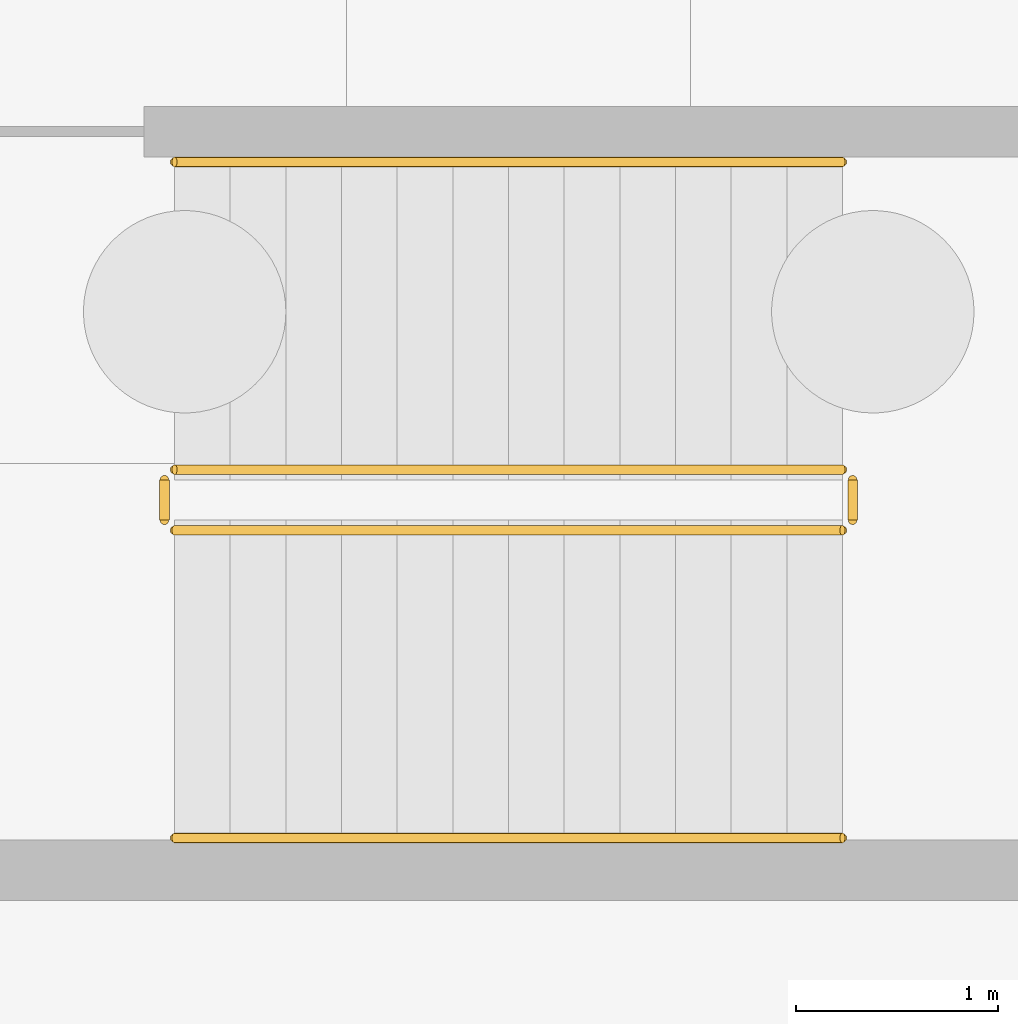
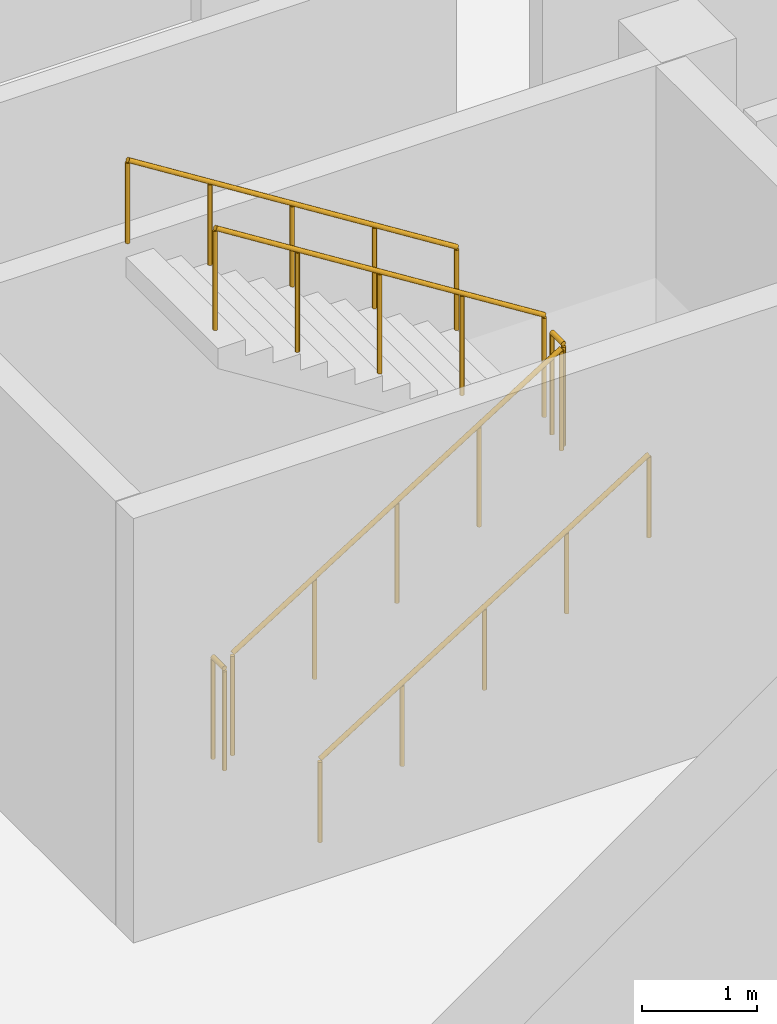
# One storey, part 48 of 51: 6 railings.
"""IFC4 building model written with IfcOpenShell, lengths in metres."""

from ifc_helpers import new_model, si_unit, direction, frame, origin, origin_2d, place, context, subcontext, project, spatial, circle, extrude, material, type_object, element, save


model = new_model("IFC4")

# Units and contexts
model_context = context("Model", 3, precision=1e-05, world=origin(), true_north=direction((0.0, 1.0)))
body_context = subcontext(model_context, "Body", "Model", "MODEL_VIEW")
ifc_project = project(units=[si_unit("LENGTHUNIT", "METRE"), si_unit("AREAUNIT", "SQUARE_METRE"), si_unit("VOLUMEUNIT", "CUBIC_METRE"), si_unit("PLANEANGLEUNIT", "RADIAN"), si_unit("MASSUNIT", "GRAM", prefix="KILO")], contexts=[model_context])

# Site, building, storey
site_placement = place(None, origin())
site = spatial("IfcSite", under=ifc_project, at=site_placement, CompositionType="ELEMENT")
building_placement = place(site_placement, origin())
building = spatial("IfcBuilding", under=site, at=building_placement, Name="Jelvoka-Kovrelna Polytechnic", CompositionType="ELEMENT")
storey_placement = place(building_placement, frame((0.0, 0.0, -4.5)))
storey = spatial("IfcBuildingStorey", under=building, at=storey_placement, Name="B01", CompositionType="ELEMENT", Elevation=-4.5)

# Railings
ifc_material_1 = material(Name="Powder-coated steel stair guard", Category="steel")
railing_type_1 = type_object("IfcRailingType", Name="Railing_Stair_Guard_1100", PredefinedType="GUARDRAIL", material=ifc_material_1)
railing_1_placement = place(storey_placement, frame((82.25, 61.77001953125, 0.173095703125)))
element("IfcRailing", 1, at=railing_1_placement, inside=storey, type_object=railing_type_1, Name="B01 ST09 stair guard 1", PredefinedType="GUARDRAIL", context=body_context, shape_type="SweptSolid", body=[
    extrude(circle(Radius=0.02392578125, at=origin_2d()), frame((0.0, 0.0, 1.076171875), z_axis=(0.846337383501, 0.0, 0.532647194011), x_axis=(0.0, 1.0, 0.0)), (0.0, 0.0, 1.0), 3.899169921875),
    extrude(circle(Radius=0.02099609375, at=origin_2d()), origin(), (0.0, 0.0, 1.0), 1.052001953125),
    extrude(circle(Radius=0.02099609375, at=origin_2d()), frame((0.824951171875, 0.0, 0.519287109375)), (0.0, 0.0, 1.0), 1.052001953125),
    extrude(circle(Radius=0.02099609375, at=origin_2d()), frame((1.64990234375, 0.0, 1.03857421875)), (0.0, 0.0, 1.0), 1.052001953125),
    extrude(circle(Radius=0.02099609375, at=origin_2d()), frame((2.47509765625, 0.0, 1.5576171875)), (0.0, 0.0, 1.0), 1.052001953125),
    extrude(circle(Radius=0.02099609375, at=origin_2d()), frame((3.300048828125, 0.0, 2.076904296875)), (0.0, 0.0, 1.0), 1.052001953125),
])
railing_2_placement = place(storey_placement, frame((85.60009765625, 61.820068359375, 2.25)))
element("IfcRailing", 2, at=railing_2_placement, inside=storey, type_object=railing_type_1, Name="B01 ST09 stair guard 2", PredefinedType="GUARDRAIL", context=body_context, shape_type="SweptSolid", body=[
    extrude(circle(Radius=0.02392578125, at=origin_2d()), frame((0.0, 0.0, 1.076171875), z_axis=(0.0, 1.0, 0.0), x_axis=(-1.0, 0.0, 0.0)), (0.0, 0.0, 1.0), 0.199951171875),
    extrude(circle(Radius=0.02099609375, at=origin_2d()), origin(), (0.0, 0.0, 1.0), 1.052001953125),
    extrude(circle(Radius=0.02099609375, at=origin_2d()), frame((0.0, 0.199951171875, 0.0)), (0.0, 0.0, 1.0), 1.052001953125),
])
railing_3_placement = place(storey_placement, frame((85.550048828125, 62.070068359375, 2.423095703125)))
element("IfcRailing", 3, at=railing_3_placement, inside=storey, type_object=railing_type_1, Name="B01 ST09 stair guard 3", PredefinedType="GUARDRAIL", context=body_context, shape_type="SweptSolid", body=[
    extrude(circle(Radius=0.02392578125, at=origin_2d()), frame((0.0, 0.0, 1.076171875), z_axis=(-0.846337383501, 0.0, 0.532647194011), x_axis=(0.0, -1.0, 0.0)), (0.0, 0.0, 1.0), 3.899169921875),
    extrude(circle(Radius=0.02099609375, at=origin_2d()), origin(), (0.0, 0.0, 1.0), 1.052001953125),
    extrude(circle(Radius=0.02099609375, at=origin_2d()), frame((-0.824951171875, 0.0, 0.519287109375)), (0.0, 0.0, 1.0), 1.052001953125),
    extrude(circle(Radius=0.02099609375, at=origin_2d()), frame((-1.64990234375, 0.0, 1.03857421875)), (0.0, 0.0, 1.0), 1.052001953125),
    extrude(circle(Radius=0.02099609375, at=origin_2d()), frame((-2.47509765625, 0.0, 1.5576171875)), (0.0, 0.0, 1.0), 1.052001953125),
    extrude(circle(Radius=0.02099609375, at=origin_2d()), frame((-3.300048828125, 0.0, 2.076904296875)), (0.0, 0.0, 1.0), 1.052001953125),
])
railing_4_placement = place(storey_placement, frame((82.199951171875, 61.820068359375, 0.0)))
element("IfcRailing", 4, at=railing_4_placement, inside=storey, type_object=railing_type_1, Name="B01 ST09 stair guard 4", PredefinedType="GUARDRAIL", context=body_context, shape_type="SweptSolid", body=[
    extrude(circle(Radius=0.02392578125, at=origin_2d()), frame((0.0, 0.0, 1.076171875), z_axis=(0.0, 1.0, 0.0), x_axis=(-1.0, 0.0, 0.0)), (0.0, 0.0, 1.0), 0.199951171875),
    extrude(circle(Radius=0.02099609375, at=origin_2d()), origin(), (0.0, 0.0, 1.0), 1.052001953125),
    extrude(circle(Radius=0.02099609375, at=origin_2d()), frame((0.0, 0.199951171875, 0.0)), (0.0, 0.0, 1.0), 1.052001953125),
])
ifc_material_2 = material(Name="Brushed stainless steel handrail", Category="steel")
railing_type_2 = type_object("IfcRailingType", Name="Railing_Stair_Handrail_900", PredefinedType="HANDRAIL", material=ifc_material_2)
railing_5_placement = place(storey_placement, frame((82.25, 60.25, 0.173095703125)))
element("IfcRailing", 5, at=railing_5_placement, inside=storey, type_object=railing_type_2, Name="B01 ST09 stair handrail 1", PredefinedType="HANDRAIL", context=body_context, shape_type="SweptSolid", body=[
    extrude(circle(Radius=0.02392578125, at=origin_2d()), frame((0.0, 0.0, 0.8759765625), z_axis=(0.846337383501, 0.0, 0.532647194011), x_axis=(0.0, 1.0, 0.0)), (0.0, 0.0, 1.0), 3.899169921875),
    extrude(circle(Radius=0.02099609375, at=origin_2d()), origin(), (0.0, 0.0, 1.0), 0.851806640625),
    extrude(circle(Radius=0.02099609375, at=origin_2d()), frame((0.824951171875, 0.0, 0.519287109375)), (0.0, 0.0, 1.0), 0.851806640625),
    extrude(circle(Radius=0.02099609375, at=origin_2d()), frame((1.64990234375, 0.0, 1.03857421875)), (0.0, 0.0, 1.0), 0.851806640625),
    extrude(circle(Radius=0.02099609375, at=origin_2d()), frame((2.47509765625, 0.0, 1.5576171875)), (0.0, 0.0, 1.0), 0.851806640625),
    extrude(circle(Radius=0.02099609375, at=origin_2d()), frame((3.300048828125, 0.0, 2.076904296875)), (0.0, 0.0, 1.0), 0.851806640625),
])
railing_6_placement = place(storey_placement, frame((85.550048828125, 63.590087890625, 2.423095703125)))
element("IfcRailing", 6, at=railing_6_placement, inside=storey, type_object=railing_type_2, Name="B01 ST09 stair handrail 2", PredefinedType="HANDRAIL", context=body_context, shape_type="SweptSolid", body=[
    extrude(circle(Radius=0.02392578125, at=origin_2d()), frame((0.0, 0.0, 0.8759765625), z_axis=(-0.846337383501, 0.0, 0.532647194011), x_axis=(0.0, -1.0, 0.0)), (0.0, 0.0, 1.0), 3.899169921875),
    extrude(circle(Radius=0.02099609375, at=origin_2d()), origin(), (0.0, 0.0, 1.0), 0.851806640625),
    extrude(circle(Radius=0.02099609375, at=origin_2d()), frame((-0.824951171875, 0.0, 0.519287109375)), (0.0, 0.0, 1.0), 0.851806640625),
    extrude(circle(Radius=0.02099609375, at=origin_2d()), frame((-1.64990234375, 0.0, 1.03857421875)), (0.0, 0.0, 1.0), 0.851806640625),
    extrude(circle(Radius=0.02099609375, at=origin_2d()), frame((-2.47509765625, 0.0, 1.5576171875)), (0.0, 0.0, 1.0), 0.851806640625),
    extrude(circle(Radius=0.02099609375, at=origin_2d()), frame((-3.300048828125, 0.0, 2.076904296875)), (0.0, 0.0, 1.0), 0.851806640625),
])

save(model, "model.ifc")
